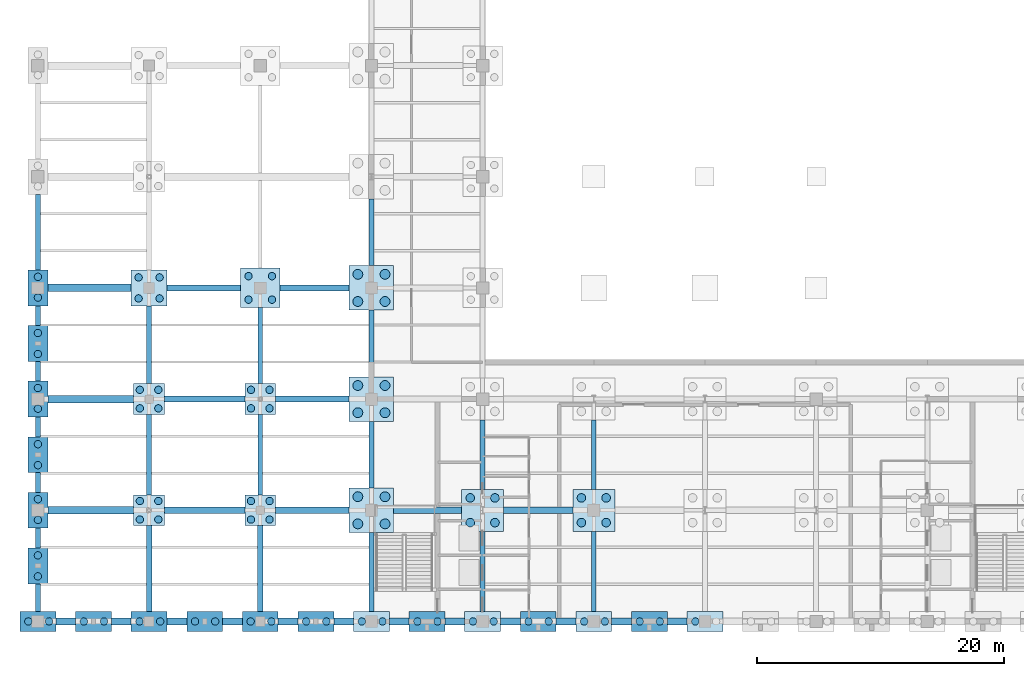
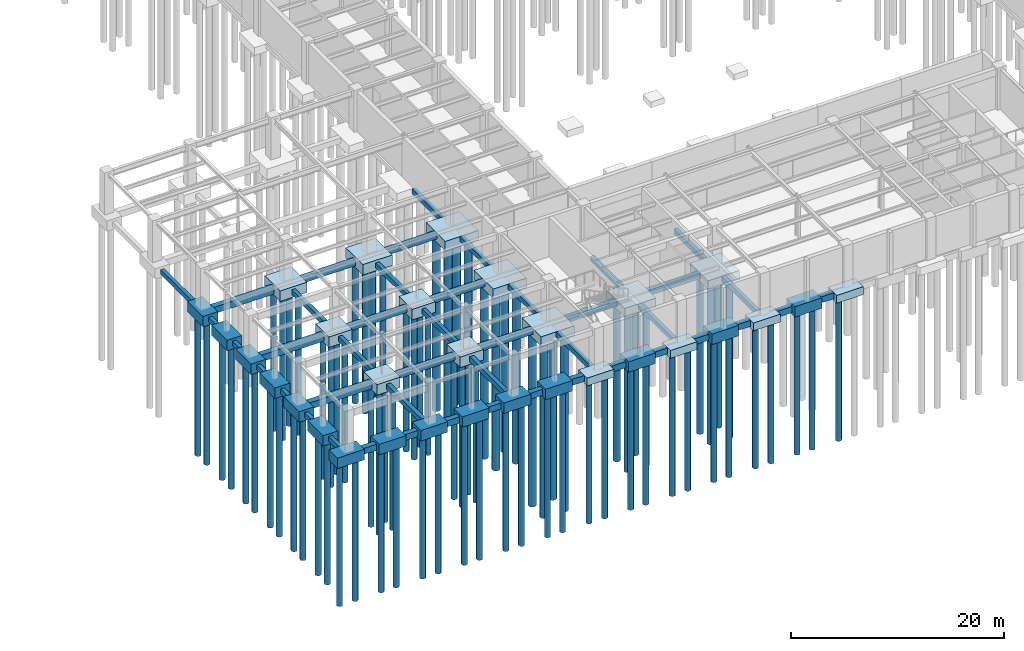
# One storey, part 1 of 49: 81 piles, 74 footings.
"""IFC4 building model written with IfcOpenShell, lengths in metres."""

import ifcopenshell
import ifcopenshell.guid

model = None  # the IFC model being written
_history = None  # IfcOwnerHistory: only IFC2X3 demands one
_inside = {}  # id of a spatial element -> (the spatial element, [elements in it])
_under = {}  # id of a project, library or spatial element -> (it, [spatial elements below it])
_declared = {}  # id of a project -> (the project, [libraries it declares])
_typed = {}  # id of a type object -> (the type object, [elements of that type])
_made_of = {}  # id of a material, layer set ... -> (it, [elements and type objects made of it])


def new_model(schema):
    """Start an empty IFC model of exactly this schema.

    Asked for "IFC4X3", IfcOpenShell would pick the latest addendum, in which some entities
    have other attributes; the version numbers below select the first issue.
    IFC2X3 requires an IfcOwnerHistory on every rooted entity: one is made here for all.
    """
    global model, _history
    if schema == "IFC4X3":
        model = ifcopenshell.file(schema_version=(4, 3, 0, 0))
    else:
        model = ifcopenshell.file(schema=schema)
    _inside.clear()
    _under.clear()
    _declared.clear()
    _typed.clear()
    _made_of.clear()
    _history = None
    if model.schema == "IFC2X3":
        org = make("IfcOrganization", Name="unknown")
        user = make(
            "IfcPersonAndOrganization",
            ThePerson=make("IfcPerson", FamilyName="unknown"),
            TheOrganization=org,
        )
        app = make(
            "IfcApplication",
            ApplicationDeveloper=org,
            Version="unknown",
            ApplicationFullName="unknown",
            ApplicationIdentifier="unknown",
        )
        _history = make(
            "IfcOwnerHistory",
            OwningUser=user,
            OwningApplication=app,
            ChangeAction="ADDED",
            CreationDate=0,
        )
    return model


def make(cls, **values):
    """One entity of the class cls with the attributes given. An attribute that is None is left unset."""
    return model.create_entity(
        cls, **{name: value for name, value in values.items() if value is not None}
    )


def rooted(cls, **values):
    """An entity with a GlobalId (a new one), such as an element, a storey or a relation."""
    return make(cls, GlobalId=ifcopenshell.guid.new(), OwnerHistory=_history, **values)


def si_unit(unit_type, name, prefix=None):
    """IfcSIUnit, for example si_unit("LENGTHUNIT", "METRE", prefix="MILLI")."""
    return make("IfcSIUnit", UnitType=unit_type, Prefix=prefix, Name=name)


def assignment(units):
    """IfcUnitAssignment: the units of a project."""
    return None if units is None else make("IfcUnitAssignment", Units=units)


def point(xyz):
    """IfcCartesianPoint."""
    return None if xyz is None else make("IfcCartesianPoint", Coordinates=xyz)


def direction(xyz):
    """IfcDirection."""
    return None if xyz is None else make("IfcDirection", DirectionRatios=xyz)


def frame(location, z_axis=None, x_axis=None):
    """IfcAxis2Placement3D, a coordinate frame: its origin and axes. An axis left out is left unset."""
    return make(
        "IfcAxis2Placement3D",
        Location=point(location),
        Axis=direction(z_axis),
        RefDirection=direction(x_axis),
    )


def frame_2d(location, x_axis=None):
    """IfcAxis2Placement2D, a coordinate frame in the plane: its origin and x axis."""
    return make(
        "IfcAxis2Placement2D", Location=point(location), RefDirection=direction(x_axis)
    )


def origin():
    """The frame at (0, 0, 0) with its axes left unset."""
    return frame((0.0, 0.0, 0.0))


def origin_2d():
    """The frame at (0, 0) in the plane with its x axis left unset."""
    return frame_2d((0.0, 0.0))


def place(relative_to, where):
    """IfcLocalPlacement: puts the frame where relative to a parent placement (None: the world)."""
    return make(
        "IfcLocalPlacement", PlacementRelTo=relative_to, RelativePlacement=where
    )


def context(
    kind, dimensions, precision=None, world=None, true_north=None, identifier=None
):
    """IfcGeometricRepresentationContext, for example the 3D "Model" context."""
    return make(
        "IfcGeometricRepresentationContext",
        ContextIdentifier=identifier,
        ContextType=kind,
        CoordinateSpaceDimension=dimensions,
        Precision=precision,
        WorldCoordinateSystem=world,
        TrueNorth=true_north,
    )


def subcontext(parent, identifier, kind, view, scale=None):
    """IfcGeometricRepresentationSubContext, for example "Body" below "Model"."""
    return make(
        "IfcGeometricRepresentationSubContext",
        ContextIdentifier=identifier,
        ContextType=kind,
        ParentContext=parent,
        TargetScale=scale,
        TargetView=view,
    )


def project(units=None, contexts=None):
    """IfcProject with its units and contexts."""
    return rooted(
        "IfcProject",
        Name="project",
        RepresentationContexts=contexts,
        UnitsInContext=assignment(units),
    )


def spatial(cls, under=None, at=None, **own):
    """A site, building, storey or space (cls), placed at a placement, below another one or the project."""
    s = rooted(cls, ObjectPlacement=at, **own)
    if under is not None:
        _under.setdefault(under.id(), (under, []))[1].append(s)
    return s


def profile(cls, at=None, kind="AREA", **sizes):
    """A parametric profile (cls). Its sizes go by their IFC names, for example OverallWidth=200.0."""
    return make(cls, ProfileType=kind, Position=at, **sizes)


def rectangle(**sizes):
    """IfcRectangleProfileDef."""
    return profile("IfcRectangleProfileDef", **sizes)


def circle(**sizes):
    """IfcCircleProfileDef."""
    return profile("IfcCircleProfileDef", **sizes)


def extrude(swept, where, along, depth):
    """IfcExtrudedAreaSolid: the profile swept, set in the frame where, extruded along a direction by depth."""
    return make(
        "IfcExtrudedAreaSolid",
        SweptArea=swept,
        Position=where,
        ExtrudedDirection=direction(along),
        Depth=depth,
    )


def shape(context_of_items, identifier, shape_type, items):
    """IfcShapeRepresentation: the items that make up one representation, for example the "Body"."""
    return make(
        "IfcShapeRepresentation",
        ContextOfItems=context_of_items,
        RepresentationIdentifier=identifier,
        RepresentationType=shape_type,
        Items=items,
    )


def material(Name=None, Category=None):
    """IfcMaterial."""
    return make("IfcMaterial", Name=Name, Category=Category)


def material_profile(
    of_material, cross_section, Name=None, Category=None, Priority=None
):
    """IfcMaterialProfile: a cross section and its material."""
    return make(
        "IfcMaterialProfile",
        Name=Name,
        Material=of_material,
        Profile=cross_section,
        Priority=Priority,
        Category=Category,
    )


def profile_set(profiles, Name=None, composite=None):
    """IfcMaterialProfileSet."""
    return make(
        "IfcMaterialProfileSet",
        Name=Name,
        MaterialProfiles=profiles,
        CompositeProfile=composite,
    )


def made_of(thing, what):
    """Note that an element or type object is made of a material, layer set ...; save() writes the relation."""
    if what is not None:
        _made_of.setdefault(what.id(), (what, []))[1].append(thing)
    return thing


def type_object(cls, material=None, **own):
    """A type object (cls), such as IfcWallType, which elements share."""
    return made_of(rooted(cls, **own), material)


def element(
    cls,
    number,
    at=None,
    inside=None,
    cuts=None,
    type_object=None,
    material=None,
    context=None,
    identifier="Body",
    shape_type=None,
    held_by="IfcProductDefinitionShape",
    body=None,
    shapes=None,
    **own,
):
    """One element of the class cls, such as IfcWall. Its Tag is "e" and its number.

    at: its placement. inside: the storey or other place that contains it. cuts: it is an
    opening in that element (IfcRelVoidsElement). A single representation is given by context,
    identifier, shape_type and body (its items); several are given by shapes. held_by: the class
    of the entity that holds the representations. save() writes the other relations.
    """
    e = rooted(cls, Tag="e%d" % number, ObjectPlacement=at, **own)
    if body is not None:
        shapes = [shape(context, identifier, shape_type, body)]
    if shapes is not None:
        e.Representation = make(held_by, Representations=shapes)
    if inside is not None:
        _inside.setdefault(inside.id(), (inside, []))[1].append(e)
    if cuts is not None:
        rooted(
            "IfcRelVoidsElement", RelatingBuildingElement=cuts, RelatedOpeningElement=e
        )
    if type_object is not None:
        _typed.setdefault(type_object.id(), (type_object, []))[1].append(e)
    return made_of(e, material)


def aggregate(whole, parts):
    """IfcRelAggregates: a whole, such as a stair, and the parts it consists of."""
    return rooted("IfcRelAggregates", RelatingObject=whole, RelatedObjects=parts)


def save(model, path):
    """Write the relations noted so far, then the file.

    IfcRelAggregates (storeys below a building ...), IfcRelContainedInSpatialStructure (elements
    in a storey), IfcRelDefinesByType, IfcRelAssociatesMaterial and IfcRelDeclares: one each for
    every whole, place, type object, material and project.
    """
    for whole, parts in _under.values():
        aggregate(whole, parts)
    for where, things in _inside.values():
        rooted(
            "IfcRelContainedInSpatialStructure",
            RelatedElements=things,
            RelatingStructure=where,
        )
    for kind, things in _typed.values():
        rooted("IfcRelDefinesByType", RelatedObjects=things, RelatingType=kind)
    for what, things in _made_of.values():
        rooted("IfcRelAssociatesMaterial", RelatedObjects=things, RelatingMaterial=what)
    for by, libraries in _declared.values():
        rooted("IfcRelDeclares", RelatingContext=by, RelatedDefinitions=libraries)
    model.write(path)


model = new_model("IFC4")

# Units and contexts
model_context = context("Model", 3, precision=1e-05, world=origin(), true_north=direction((0.0, 1.0)))
body_context = subcontext(model_context, "Body", "Model", "MODEL_VIEW")
ifc_project = project(units=[si_unit("LENGTHUNIT", "METRE"), si_unit("AREAUNIT", "SQUARE_METRE"), si_unit("VOLUMEUNIT", "CUBIC_METRE"), si_unit("PLANEANGLEUNIT", "RADIAN"), si_unit("MASSUNIT", "GRAM", prefix="KILO")], contexts=[model_context])

# Site, building, storey
site_placement = place(None, origin())
site = spatial("IfcSite", under=ifc_project, at=site_placement, CompositionType="ELEMENT")
building_placement = place(site_placement, origin())
building = spatial("IfcBuilding", under=site, at=building_placement, Name="Lykobir Media Centre", CompositionType="ELEMENT")
storey_placement = place(building_placement, frame((0.0, 0.0, -4.800048828125)))
storey = spatial("IfcBuildingStorey", under=building, at=storey_placement, Name="B1", CompositionType="ELEMENT", Elevation=-4.800048828125)

# Piles
ifc_material_1 = material(Name="Concrete C30/37", Category="concrete")
ifc_material_profile_1 = material_profile(ifc_material_1, circle(Radius=0.300048828125, at=origin_2d()), Name="BORED PILE D600")
ifc_profile_set_1 = profile_set([ifc_material_profile_1], Name="Concrete C30/37")
pile_type_1 = type_object("IfcPileType", Name="BP-600", PredefinedType="BORED", material=ifc_profile_set_1)
for number, where, z_axis, x_axis, name in (
    (1, (-0.780029296875, 0.0, -1.099853515625), (0.0, 0.0, -1.0), (1.0, 0.0, 0.0), "Bored pile PILE--008-0000-1"),
    (2, (0.89990234375, 0.0, -1.099853515625), (0.0, 0.0, -1.0), (1.0, 0.0, 0.0), "Bored pile PILE-0009-0000-2"),
    (3, (0.0, 8.219970703125, -1.099853515625), (0.0, 0.0, -1.0), (1.0, 0.0, 0.0), "Bored pile PILE-0000-0082-1"),
    (4, (0.0, 9.89990234375, -1.099853515625), (0.0, 0.0, -1.0), (1.0, 0.0, 0.0), "Bored pile PILE-0000-0099-2"),
    (5, (0.0, 17.219970703125, -1.099853515625), (0.0, 0.0, -1.0), (1.0, 0.0, 0.0), "Bored pile PILE-0000-0172-1"),
    (6, (0.0, 18.89990234375, -1.099853515625), (0.0, 0.0, -1.0), (1.0, 0.0, 0.0), "Bored pile PILE-0000-0189-2"),
    (7, (0.0, 26.219970703125, -1.099853515625), (0.0, 0.0, -1.0), (1.0, 0.0, 0.0), "Bored pile PILE-0000-0262-1"),
    (8, (0.0, 27.89990234375, -1.099853515625), (0.0, 0.0, -1.0), (1.0, 0.0, 0.0), "Bored pile PILE-0000-0279-2"),
    (9, (8.219970703125, 0.0, -1.099853515625), (0.0, 0.0, -1.0), (1.0, 0.0, 0.0), "Bored pile PILE-0082-0000-1"),
    (10, (9.89990234375, 0.0, -1.099853515625), (0.0, 0.0, -1.0), (1.0, 0.0, 0.0), "Bored pile PILE-0099-0000-2"),
    (11, (8.25, 8.25, -1.099853515625), (0.0, 0.0, -1.0), (1.0, 0.0, 0.0), "Bored pile PILE-0082-0082-1"),
    (12, (9.75, 8.25, -1.099853515625), (0.0, 0.0, -1.0), (1.0, 0.0, 0.0), "Bored pile PILE-0098-0082-2"),
    (13, (8.25, 9.75, -1.099853515625), (0.0, 0.0, -1.0), (1.0, 0.0, 0.0), "Bored pile PILE-0082-0098-3"),
    (14, (9.75, 9.75, -1.099853515625), (0.0, 0.0, -1.0), (1.0, 0.0, 0.0), "Bored pile PILE-0098-0098-4"),
    (15, (8.25, 17.25, -1.099853515625), (0.0, 0.0, -1.0), (1.0, 0.0, 0.0), "Bored pile PILE-0082-0172-1"),
    (16, (9.75, 17.25, -1.099853515625), (0.0, 0.0, -1.0), (1.0, 0.0, 0.0), "Bored pile PILE-0098-0172-2"),
    (17, (8.25, 18.75, -1.099853515625), (0.0, 0.0, -1.0), (1.0, 0.0, 0.0), "Bored pile PILE-0082-0188-3"),
    (18, (9.75, 18.75, -1.099853515625), (0.0, 0.0, -1.0), (1.0, 0.0, 0.0), "Bored pile PILE-0098-0188-4"),
    (19, (8.14990234375, 26.14990234375, -1.099853515625), (0.0, 0.0, -1.0), (1.0, 0.0, 0.0), "Bored pile PILE-0082-0262-1"),
    (20, (9.85009765625, 26.14990234375, -1.099853515625), (0.0, 0.0, -1.0), (1.0, 0.0, 0.0), "Bored pile PILE-0098-0262-2"),
    (21, (8.14990234375, 27.85009765625, -1.099853515625), (0.0, 0.0, -1.0), (1.0, 0.0, 0.0), "Bored pile PILE-0082-0278-3"),
    (22, (9.85009765625, 27.85009765625, -1.099853515625), (0.0, 0.0, -1.0), (1.0, 0.0, 0.0), "Bored pile PILE-0098-0278-4"),
    (23, (17.219970703125, 0.0, -1.099853515625), (0.0, 0.0, -1.0), (1.0, 0.0, 0.0), "Bored pile PILE-0172-0000-1"),
    (24, (18.89990234375, 0.0, -1.099853515625), (0.0, 0.0, -1.0), (1.0, 0.0, 0.0), "Bored pile PILE-0189-0000-2"),
    (25, (17.25, 8.25, -1.099853515625), (0.0, 0.0, -1.0), (1.0, 0.0, 0.0), "Bored pile PILE-0172-0082-1"),
    (26, (18.75, 8.25, -1.099853515625), (0.0, 0.0, -1.0), (1.0, 0.0, 0.0), "Bored pile PILE-0188-0082-2"),
    (27, (17.25, 9.75, -1.099853515625), (0.0, 0.0, -1.0), (1.0, 0.0, 0.0), "Bored pile PILE-0172-0098-3"),
    (28, (18.75, 9.75, -1.099853515625), (0.0, 0.0, -1.0), (1.0, 0.0, 0.0), "Bored pile PILE-0188-0098-4"),
    (29, (17.25, 17.25, -1.099853515625), (0.0, 0.0, -1.0), (1.0, 0.0, 0.0), "Bored pile PILE-0172-0172-1"),
    (30, (18.75, 17.25, -1.099853515625), (0.0, 0.0, -1.0), (1.0, 0.0, 0.0), "Bored pile PILE-0188-0172-2"),
    (31, (17.25, 18.75, -1.099853515625), (0.0, 0.0, -1.0), (1.0, 0.0, 0.0), "Bored pile PILE-0172-0188-3"),
    (32, (18.75, 18.75, -1.099853515625), (0.0, 0.0, -1.0), (1.0, 0.0, 0.0), "Bored pile PILE-0188-0188-4"),
    (33, (17.050048828125, 26.050048828125, -1.099853515625), (0.0, 0.0, -1.0), (1.0, 0.0, 0.0), "Bored pile PILE-0170-0260-1"),
    (34, (18.949951171875, 26.050048828125, -1.099853515625), (0.0, 0.0, -1.0), (1.0, 0.0, 0.0), "Bored pile PILE-0190-0260-2"),
    (35, (17.050048828125, 27.949951171875, -1.099853515625), (0.0, 0.0, -1.0), (1.0, 0.0, 0.0), "Bored pile PILE-0170-0280-3"),
    (36, (18.949951171875, 27.949951171875, -1.099853515625), (0.0, 0.0, -1.0), (1.0, 0.0, 0.0), "Bored pile PILE-0190-0280-4"),
    (37, (26.219970703125, 0.0, -1.099853515625), (0.0, 0.0, -1.0), (1.0, 0.0, 0.0), "Bored pile PILE-0262-0000-1"),
    (38, (27.89990234375, 0.0, -1.099853515625), (0.0, 0.0, -1.0), (1.0, 0.0, 0.0), "Bored pile PILE-0279-0000-2"),
    (39, (35.219970703125, 0.0, -1.099853515625), (0.0, 0.0, -1.0), (1.0, 0.0, 0.0), "Bored pile PILE-0352-0000-1"),
    (40, (36.89990234375, 0.0, -1.099853515625), (0.0, 0.0, -1.0), (1.0, 0.0, 0.0), "Bored pile PILE-0369-0000-2"),
    (41, (44.219970703125, 0.0, -1.099853515625), (0.0, 0.0, -1.0), (1.0, 0.0, 0.0), "Bored pile PILE-0442-0000-1"),
    (42, (45.89990234375, 0.0, -1.099853515625), (0.0, 0.0, -1.0), (1.0, 0.0, 0.0), "Bored pile PILE-0459-0000-2"),
    (43, (53.219970703125, 0.0, -1.099853515625), (0.0, 0.0, -1.0), (1.0, 0.0, 0.0), "Bored pile PILE-0532-0000-1"),
    (44, (30.719970703125, 0.0, -1.099853515625), (0.0, 0.0, -1.0), (1.0, 0.0, 0.0), "Colonnade bored pile PILE-RVK-0307-0000-1"),
    (45, (32.35009765625, 0.0, -1.099853515625), (0.0, 0.0, -1.0), (1.0, 0.0, 0.0), "Colonnade bored pile PILE-RVK-0324-0000-2"),
    (46, (39.719970703125, 0.0, -1.099853515625), (0.0, 0.0, -1.0), (1.0, 0.0, 0.0), "Colonnade bored pile PILE-RVK-0397-0000-1"),
    (47, (41.35009765625, 0.0, -1.099853515625), (0.0, 0.0, -1.0), (1.0, 0.0, 0.0), "Colonnade bored pile PILE-RVK-0414-0000-2"),
    (48, (48.719970703125, 0.0, -1.099853515625), (0.0, 0.0, -1.0), (1.0, 0.0, 0.0), "Colonnade bored pile PILE-RVK-0487-0000-1"),
    (49, (50.35009765625, 0.0, -1.099853515625), (0.0, 0.0, -1.0), (1.0, 0.0, 0.0), "Colonnade bored pile PILE-RVK-0504-0000-2"),
    (50, (3.719970703125, 0.0, -1.099853515625), (0.0, 0.0, -1.0), (1.0, 0.0, 0.0), "Colonnade bored pile PILE-RVK-0037-0000-1"),
    (51, (5.35009765625, 0.0, -1.099853515625), (0.0, 0.0, -1.0), (1.0, 0.0, 0.0), "Colonnade bored pile PILE-RVK-0054-0000-2"),
    (52, (12.719970703125, 0.0, -1.099853515625), (0.0, 0.0, -1.0), (1.0, 0.0, 0.0), "Colonnade bored pile PILE-RVK-0127-0000-1"),
    (53, (14.35009765625, 0.0, -1.099853515625), (0.0, 0.0, -1.0), (1.0, 0.0, 0.0), "Colonnade bored pile PILE-RVK-0144-0000-2"),
    (54, (21.719970703125, 0.0, -1.099853515625), (0.0, 0.0, -1.0), (1.0, 0.0, 0.0), "Colonnade bored pile PILE-RVK-0217-0000-1"),
    (55, (23.35009765625, 0.0, -1.099853515625), (0.0, 0.0, -1.0), (1.0, 0.0, 0.0), "Colonnade bored pile PILE-RVK-0234-0000-2"),
    (56, (0.0, 3.64990234375, -1.099853515625), (0.0, 0.0, -1.0), (1.0, 0.0, 0.0), "Colonnade bored pile PILE-RVK-0000-0036-1"),
    (57, (0.0, 5.35009765625, -1.099853515625), (0.0, 0.0, -1.0), (1.0, 0.0, 0.0), "Colonnade bored pile PILE-RVK-0000-0054-2"),
    (58, (0.0, 12.64990234375, -1.099853515625), (0.0, 0.0, -1.0), (1.0, 0.0, 0.0), "Colonnade bored pile PILE-RVK-0000-0126-1"),
    (59, (0.0, 14.35009765625, -1.099853515625), (0.0, 0.0, -1.0), (1.0, 0.0, 0.0), "Colonnade bored pile PILE-RVK-0000-0144-2"),
    (60, (0.0, 21.64990234375, -1.099853515625), (0.0, 0.0, -1.0), (1.0, 0.0, 0.0), "Colonnade bored pile PILE-RVK-0000-0216-1"),
    (61, (0.0, 23.35009765625, -1.099853515625), (0.0, 0.0, -1.0), (1.0, 0.0, 0.0), "Colonnade bored pile PILE-RVK-0000-0234-2"),
):
    element("IfcPile", number, at=place(storey_placement, frame(where, z_axis=z_axis, x_axis=x_axis)), inside=storey, type_object=pile_type_1, Name=name, PredefinedType="BORED", context=body_context, shape_type="SweptSolid", body=[
        extrude(circle(Radius=0.300048828125, at=origin_2d()), origin(), (0.0, 0.0, 1.0), 16.39990234375),
    ])
ifc_material_profile_2 = material_profile(ifc_material_1, circle(Radius=0.35009765625, at=origin_2d()), Name="BORED PILE D700")
ifc_profile_set_2 = profile_set([ifc_material_profile_2], Name="Concrete C30/37")
pile_type_2 = type_object("IfcPileType", Name="BP-700", PredefinedType="BORED", material=ifc_profile_set_2)
for number, where, z_axis, x_axis, name in (
    (62, (35.0, 8.0, -1.099853515625), (0.0, 0.0, -1.0), (1.0, 0.0, 0.0), "Bored pile PILE-0350-0080-1"),
    (63, (37.0, 8.0, -1.099853515625), (0.0, 0.0, -1.0), (1.0, 0.0, 0.0), "Bored pile PILE-0370-0080-2"),
    (64, (35.0, 10.0, -1.099853515625), (0.0, 0.0, -1.0), (1.0, 0.0, 0.0), "Bored pile PILE-0350-0100-3"),
    (65, (37.0, 10.0, -1.099853515625), (0.0, 0.0, -1.0), (1.0, 0.0, 0.0), "Bored pile PILE-0370-0100-4"),
    (66, (44.0, 8.0, -1.099853515625), (0.0, 0.0, -1.0), (1.0, 0.0, 0.0), "Bored pile PILE-0440-0080-1"),
    (67, (46.0, 8.0, -1.099853515625), (0.0, 0.0, -1.0), (1.0, 0.0, 0.0), "Bored pile PILE-0460-0080-2"),
    (68, (44.0, 10.0, -1.099853515625), (0.0, 0.0, -1.0), (1.0, 0.0, 0.0), "Bored pile PILE-0440-0100-3"),
    (69, (46.0, 10.0, -1.099853515625), (0.0, 0.0, -1.0), (1.0, 0.0, 0.0), "Bored pile PILE-0460-0100-4"),
):
    element("IfcPile", number, at=place(storey_placement, frame(where, z_axis=z_axis, x_axis=x_axis)), inside=storey, type_object=pile_type_2, Name=name, PredefinedType="BORED", context=body_context, shape_type="SweptSolid", body=[
        extrude(circle(Radius=0.35009765625, at=origin_2d()), origin(), (0.0, 0.0, 1.0), 18.39990234375),
    ])
ifc_material_profile_3 = material_profile(ifc_material_1, circle(Radius=0.39990234375, at=origin_2d()), Name="BORED PILE D800")
ifc_profile_set_3 = profile_set([ifc_material_profile_3], Name="Concrete C30/37")
pile_type_3 = type_object("IfcPileType", Name="BP-800", PredefinedType="BORED", material=ifc_profile_set_3)
for number, where, z_axis, x_axis, name in (
    (70, (25.89990234375, 7.89990234375, -1.099853515625), (0.0, 0.0, -1.0), (1.0, 0.0, 0.0), "Bored pile PILE-0259-0079-1"),
    (71, (28.10009765625, 7.89990234375, -1.099853515625), (0.0, 0.0, -1.0), (1.0, 0.0, 0.0), "Bored pile PILE-0281-0079-2"),
    (72, (25.89990234375, 10.10009765625, -1.099853515625), (0.0, 0.0, -1.0), (1.0, 0.0, 0.0), "Bored pile PILE-0259-0101-3"),
    (73, (28.10009765625, 10.10009765625, -1.099853515625), (0.0, 0.0, -1.0), (1.0, 0.0, 0.0), "Bored pile PILE-0281-0101-4"),
    (74, (25.89990234375, 16.89990234375, -1.099853515625), (0.0, 0.0, -1.0), (1.0, 0.0, 0.0), "Bored pile PILE-0259-0169-1"),
    (75, (28.10009765625, 16.89990234375, -1.099853515625), (0.0, 0.0, -1.0), (1.0, 0.0, 0.0), "Bored pile PILE-0281-0169-2"),
    (76, (25.89990234375, 19.10009765625, -1.099853515625), (0.0, 0.0, -1.0), (1.0, 0.0, 0.0), "Bored pile PILE-0259-0191-3"),
    (77, (28.10009765625, 19.10009765625, -1.099853515625), (0.0, 0.0, -1.0), (1.0, 0.0, 0.0), "Bored pile PILE-0281-0191-4"),
    (78, (25.89990234375, 25.89990234375, -1.099853515625), (0.0, 0.0, -1.0), (1.0, 0.0, 0.0), "Bored pile PILE-0259-0259-1"),
    (79, (28.10009765625, 25.89990234375, -1.099853515625), (0.0, 0.0, -1.0), (1.0, 0.0, 0.0), "Bored pile PILE-0281-0259-2"),
    (80, (25.89990234375, 28.10009765625, -1.099853515625), (0.0, 0.0, -1.0), (1.0, 0.0, 0.0), "Bored pile PILE-0259-0281-3"),
    (81, (28.10009765625, 28.10009765625, -1.099853515625), (0.0, 0.0, -1.0), (1.0, 0.0, 0.0), "Bored pile PILE-0281-0281-4"),
):
    element("IfcPile", number, at=place(storey_placement, frame(where, z_axis=z_axis, x_axis=x_axis)), inside=storey, type_object=pile_type_3, Name=name, PredefinedType="BORED", context=body_context, shape_type="SweptSolid", body=[
        extrude(circle(Radius=0.39990234375, at=origin_2d()), origin(), (0.0, 0.0, 1.0), 20.39990234375),
    ])

# Footings
ifc_material_2 = material(Name="Concrete C35/45", Category="concrete")
footing_type_1 = type_object("IfcFootingType", Name="GB-1", PredefinedType="FOOTING_BEAM", material=ifc_material_2)
for number, where, z_axis, x_axis, name in (
    (82, (4.27490234375, 9.0, -1.050048828125), (0.0, 0.0, 1.0), (1.0, 0.0, 0.0), "Ground tie beam FTG-GB-X-030"),
    (83, (4.27490234375, 18.0, -1.050048828125), (0.0, 0.0, 1.0), (1.0, 0.0, 0.0), "Ground tie beam FTG-GB-X-046"),
):
    element("IfcFooting", number, at=place(storey_placement, frame(where, z_axis=z_axis, x_axis=x_axis)), inside=storey, type_object=footing_type_1, Name=name, PredefinedType="FOOTING_BEAM", context=body_context, shape_type="SweptSolid", body=[
        extrude(rectangle(XDim=6.949951171875, YDim=0.60009765625, at=origin_2d()), origin(), (0.0, 0.0, 1.0), 0.75),
    ])
footing_1_placement = place(storey_placement, frame((4.175048828125, 27.0, -1.050048828125), z_axis=(0.0, 0.0, 1.0), x_axis=(1.0, 0.0, 0.0)))
element("IfcFooting", 84, at=footing_1_placement, inside=storey, type_object=footing_type_1, Name="Ground tie beam FTG-GB-X-063", PredefinedType="FOOTING_BEAM", context=body_context, shape_type="SweptSolid", body=[
    extrude(rectangle(XDim=6.75, YDim=0.60009765625, at=origin_2d()), origin(), (0.0, 0.0, 1.0), 0.75),
])
footing_type_2 = type_object("IfcFootingType", Name="GB-2", PredefinedType="FOOTING_BEAM", material=ifc_material_2)
for number, where, z_axis, x_axis, name in (
    (85, (2.25, 0.0, -1.0), (0.0, 0.0, 1.0), (1.0, 0.0, 0.0), "Ground tie beam FTG-GB-X-001"),
    (86, (6.75, 0.0, -1.0), (0.0, 0.0, 1.0), (1.0, 0.0, 0.0), "Ground tie beam FTG-GB-X-002"),
    (87, (11.25, 0.0, -1.0), (0.0, 0.0, 1.0), (1.0, 0.0, 0.0), "Ground tie beam FTG-GB-X-003"),
    (88, (15.75, 0.0, -1.0), (0.0, 0.0, 1.0), (1.0, 0.0, 0.0), "Ground tie beam FTG-GB-X-004"),
    (89, (20.25, 0.0, -1.0), (0.0, 0.0, 1.0), (1.0, 0.0, 0.0), "Ground tie beam FTG-GB-X-005"),
    (90, (24.75, 0.0, -1.0), (0.0, 0.0, 1.0), (1.0, 0.0, 0.0), "Ground tie beam FTG-GB-X-006"),
    (91, (29.25, 0.0, -1.0), (0.0, 0.0, 1.0), (1.0, 0.0, 0.0), "Ground tie beam FTG-GB-X-007"),
    (92, (33.75, 0.0, -1.0), (0.0, 0.0, 1.0), (1.0, 0.0, 0.0), "Ground tie beam FTG-GB-X-008"),
    (93, (38.25, 0.0, -1.0), (0.0, 0.0, 1.0), (1.0, 0.0, 0.0), "Ground tie beam FTG-GB-X-009"),
    (94, (42.75, 0.0, -1.0), (0.0, 0.0, 1.0), (1.0, 0.0, 0.0), "Ground tie beam FTG-GB-X-010"),
    (95, (47.25, 0.0, -1.0), (0.0, 0.0, 1.0), (1.0, 0.0, 0.0), "Ground tie beam FTG-GB-X-011"),
    (96, (51.75, 0.0, -1.0), (0.0, 0.0, 1.0), (1.0, 0.0, 0.0), "Ground tie beam FTG-GB-X-012"),
):
    element("IfcFooting", number, at=place(storey_placement, frame(where, z_axis=z_axis, x_axis=x_axis)), inside=storey, type_object=footing_type_2, Name=name, PredefinedType="FOOTING_BEAM", context=body_context, shape_type="SweptSolid", body=[
        extrude(rectangle(XDim=1.60009765625, YDim=0.550048828125, at=origin_2d()), origin(), (0.0, 0.0, 1.0), 0.699951171875),
    ])
footing_type_3 = type_object("IfcFootingType", Name="GB-3", PredefinedType="FOOTING_BEAM", material=ifc_material_2)
footing_2_placement = place(storey_placement, frame((13.5, 9.0, -0.949951171875), z_axis=(0.0, 0.0, 1.0), x_axis=(1.0, 0.0, 0.0)))
element("IfcFooting", 97, at=footing_2_placement, inside=storey, type_object=footing_type_3, Name="Ground tie beam FTG-GB-X-031", PredefinedType="FOOTING_BEAM", context=body_context, shape_type="SweptSolid", body=[
    extrude(rectangle(XDim=6.5, YDim=0.5, at=origin_2d()), origin(), (0.0, 0.0, 1.0), 0.64990234375),
])
footing_3_placement = place(storey_placement, frame((22.22509765625, 9.0, -0.949951171875), z_axis=(0.0, 0.0, 1.0), x_axis=(1.0, 0.0, 0.0)))
element("IfcFooting", 98, at=footing_3_placement, inside=storey, type_object=footing_type_3, Name="Ground tie beam FTG-GB-X-032", PredefinedType="FOOTING_BEAM", context=body_context, shape_type="SweptSolid", body=[
    extrude(rectangle(XDim=5.949951171875, YDim=0.5, at=origin_2d()), origin(), (0.0, 0.0, 1.0), 0.64990234375),
])
footing_4_placement = place(storey_placement, frame((31.550048828125, 9.0, -0.949951171875), z_axis=(0.0, 0.0, 1.0), x_axis=(1.0, 0.0, 0.0)))
element("IfcFooting", 99, at=footing_4_placement, inside=storey, type_object=footing_type_3, Name="Ground tie beam FTG-GB-X-033", PredefinedType="FOOTING_BEAM", context=body_context, shape_type="SweptSolid", body=[
    extrude(rectangle(XDim=5.5, YDim=0.5, at=origin_2d()), origin(), (0.0, 0.0, 1.0), 0.64990234375),
])
footing_5_placement = place(storey_placement, frame((40.5, 9.0, -0.949951171875), z_axis=(0.0, 0.0, 1.0), x_axis=(1.0, 0.0, 0.0)))
element("IfcFooting", 100, at=footing_5_placement, inside=storey, type_object=footing_type_3, Name="Ground tie beam FTG-GB-X-034", PredefinedType="FOOTING_BEAM", context=body_context, shape_type="SweptSolid", body=[
    extrude(rectangle(XDim=5.60009765625, YDim=0.5, at=origin_2d()), origin(), (0.0, 0.0, 1.0), 0.64990234375),
])
footing_6_placement = place(storey_placement, frame((13.5, 18.0, -0.949951171875), z_axis=(0.0, 0.0, 1.0), x_axis=(1.0, 0.0, 0.0)))
element("IfcFooting", 101, at=footing_6_placement, inside=storey, type_object=footing_type_3, Name="Ground tie beam FTG-GB-X-047", PredefinedType="FOOTING_BEAM", context=body_context, shape_type="SweptSolid", body=[
    extrude(rectangle(XDim=6.5, YDim=0.5, at=origin_2d()), origin(), (0.0, 0.0, 1.0), 0.64990234375),
])
for number, where, z_axis, x_axis, name in (
    (102, (22.22509765625, 18.0, -0.949951171875), (0.0, 0.0, 1.0), (1.0, 0.0, 0.0), "Ground tie beam FTG-GB-X-048"),
    (103, (13.425048828125, 27.0, -0.949951171875), (0.0, 0.0, 1.0), (1.0, 0.0, 0.0), "Ground tie beam FTG-GB-X-064"),
):
    element("IfcFooting", number, at=place(storey_placement, frame(where, z_axis=z_axis, x_axis=x_axis)), inside=storey, type_object=footing_type_3, Name=name, PredefinedType="FOOTING_BEAM", context=body_context, shape_type="SweptSolid", body=[
        extrude(rectangle(XDim=5.949951171875, YDim=0.5, at=origin_2d()), origin(), (0.0, 0.0, 1.0), 0.64990234375),
    ])
footing_7_placement = place(storey_placement, frame((22.39990234375, 27.0, -0.949951171875), z_axis=(0.0, 0.0, 1.0), x_axis=(1.0, 0.0, 0.0)))
element("IfcFooting", 104, at=footing_7_placement, inside=storey, type_object=footing_type_3, Name="Ground tie beam FTG-GB-X-065", PredefinedType="FOOTING_BEAM", context=body_context, shape_type="SweptSolid", body=[
    extrude(rectangle(XDim=5.60009765625, YDim=0.5, at=origin_2d()), origin(), (0.0, 0.0, 1.0), 0.64990234375),
])
footing_type_4 = type_object("IfcFootingType", Name="GB-4", PredefinedType="FOOTING_BEAM", material=ifc_material_2)
for number, where, z_axis, x_axis, name in (
    (105, (9.0, 4.27490234375, -0.89990234375), (0.0, 0.0, 1.0), (0.0, 1.0, 0.0), "Ground tie beam FTG-GB-Y-197"),
    (106, (18.0, 4.27490234375, -0.89990234375), (0.0, 0.0, 1.0), (0.0, 1.0, 0.0), "Ground tie beam FTG-GB-Y-202"),
):
    element("IfcFooting", number, at=place(storey_placement, frame(where, z_axis=z_axis, x_axis=x_axis)), inside=storey, type_object=footing_type_4, Name=name, PredefinedType="FOOTING_BEAM", context=body_context, shape_type="SweptSolid", body=[
        extrude(rectangle(XDim=6.949951171875, YDim=0.449951171875, at=origin_2d()), origin(), (0.0, 0.0, 1.0), 0.60009765625),
    ])
footing_type_5 = type_object("IfcFootingType", Name="GB-5", PredefinedType="FOOTING_BEAM", material=ifc_material_2)
footing_8_placement = place(storey_placement, frame((0.0, 1.925048828125, -0.85009765625), z_axis=(0.0, 0.0, 1.0), x_axis=(0.0, 1.0, 0.0)))
element("IfcFooting", 107, at=footing_8_placement, inside=storey, type_object=footing_type_5, Name="Ground tie beam FTG-GB-Y-189", PredefinedType="FOOTING_BEAM", context=body_context, shape_type="SweptSolid", body=[
    extrude(rectangle(XDim=2.25, YDim=0.39990234375, at=origin_2d()), origin(), (0.0, 0.0, 1.0), 0.550048828125),
])
for number, where, z_axis, x_axis, name in (
    (108, (0.0, 6.75, -0.85009765625), (0.0, 0.0, 1.0), (0.0, 1.0, 0.0), "Ground tie beam FTG-GB-Y-190"),
    (109, (0.0, 11.25, -0.85009765625), (0.0, 0.0, 1.0), (0.0, 1.0, 0.0), "Ground tie beam FTG-GB-Y-191"),
    (110, (0.0, 15.75, -0.85009765625), (0.0, 0.0, 1.0), (0.0, 1.0, 0.0), "Ground tie beam FTG-GB-Y-192"),
    (111, (0.0, 20.25, -0.85009765625), (0.0, 0.0, 1.0), (0.0, 1.0, 0.0), "Ground tie beam FTG-GB-Y-193"),
    (112, (0.0, 24.75, -0.85009765625), (0.0, 0.0, 1.0), (0.0, 1.0, 0.0), "Ground tie beam FTG-GB-Y-194"),
):
    element("IfcFooting", number, at=place(storey_placement, frame(where, z_axis=z_axis, x_axis=x_axis)), inside=storey, type_object=footing_type_5, Name=name, PredefinedType="FOOTING_BEAM", context=body_context, shape_type="SweptSolid", body=[
        extrude(rectangle(XDim=1.60009765625, YDim=0.39990234375, at=origin_2d()), origin(), (0.0, 0.0, 1.0), 0.550048828125),
    ])
footing_9_placement = place(storey_placement, frame((0.0, 31.5, -0.85009765625), z_axis=(0.0, 0.0, 1.0), x_axis=(0.0, 1.0, 0.0)))
element("IfcFooting", 113, at=footing_9_placement, inside=storey, type_object=footing_type_5, Name="Ground tie beam FTG-GB-Y-195", PredefinedType="FOOTING_BEAM", context=body_context, shape_type="SweptSolid", body=[
    extrude(rectangle(XDim=6.10009765625, YDim=0.39990234375, at=origin_2d()), origin(), (0.0, 0.0, 1.0), 0.550048828125),
])
footing_10_placement = place(storey_placement, frame((9.0, 13.5, -0.85009765625), z_axis=(0.0, 0.0, 1.0), x_axis=(0.0, 1.0, 0.0)))
element("IfcFooting", 114, at=footing_10_placement, inside=storey, type_object=footing_type_5, Name="Ground tie beam FTG-GB-Y-198", PredefinedType="FOOTING_BEAM", context=body_context, shape_type="SweptSolid", body=[
    extrude(rectangle(XDim=6.5, YDim=0.39990234375, at=origin_2d()), origin(), (0.0, 0.0, 1.0), 0.550048828125),
])
footing_11_placement = place(storey_placement, frame((9.0, 22.39990234375, -0.85009765625), z_axis=(0.0, 0.0, 1.0), x_axis=(0.0, 1.0, 0.0)))
element("IfcFooting", 115, at=footing_11_placement, inside=storey, type_object=footing_type_5, Name="Ground tie beam FTG-GB-Y-199", PredefinedType="FOOTING_BEAM", context=body_context, shape_type="SweptSolid", body=[
    extrude(rectangle(XDim=6.300048828125, YDim=0.39990234375, at=origin_2d()), origin(), (0.0, 0.0, 1.0), 0.550048828125),
])
footing_12_placement = place(storey_placement, frame((18.0, 13.5, -0.85009765625), z_axis=(0.0, 0.0, 1.0), x_axis=(0.0, 1.0, 0.0)))
element("IfcFooting", 116, at=footing_12_placement, inside=storey, type_object=footing_type_5, Name="Ground tie beam FTG-GB-Y-203", PredefinedType="FOOTING_BEAM", context=body_context, shape_type="SweptSolid", body=[
    extrude(rectangle(XDim=6.5, YDim=0.39990234375, at=origin_2d()), origin(), (0.0, 0.0, 1.0), 0.550048828125),
])
footing_13_placement = place(storey_placement, frame((18.0, 22.324951171875, -0.85009765625), z_axis=(0.0, 0.0, 1.0), x_axis=(0.0, 1.0, 0.0)))
element("IfcFooting", 117, at=footing_13_placement, inside=storey, type_object=footing_type_5, Name="Ground tie beam FTG-GB-Y-204", PredefinedType="FOOTING_BEAM", context=body_context, shape_type="SweptSolid", body=[
    extrude(rectangle(XDim=6.14990234375, YDim=0.39990234375, at=origin_2d()), origin(), (0.0, 0.0, 1.0), 0.550048828125),
])
footing_14_placement = place(storey_placement, frame((27.0, 4.0, -0.85009765625), z_axis=(0.0, 0.0, 1.0), x_axis=(0.0, 1.0, 0.0)))
element("IfcFooting", 118, at=footing_14_placement, inside=storey, type_object=footing_type_5, Name="Ground tie beam FTG-GB-Y-205", PredefinedType="FOOTING_BEAM", context=body_context, shape_type="SweptSolid", body=[
    extrude(rectangle(XDim=6.39990234375, YDim=0.39990234375, at=origin_2d()), origin(), (0.0, 0.0, 1.0), 0.550048828125),
])
for number, where, z_axis, x_axis, name in (
    (119, (27.0, 13.5, -0.85009765625), (0.0, 0.0, 1.0), (0.0, 1.0, 0.0), "Ground tie beam FTG-GB-Y-206"),
    (120, (27.0, 22.5, -0.85009765625), (0.0, 0.0, 1.0), (0.0, 1.0, 0.0), "Ground tie beam FTG-GB-Y-207"),
    (121, (27.0, 31.5, -0.85009765625), (0.0, 0.0, 1.0), (0.0, 1.0, 0.0), "Ground tie beam FTG-GB-Y-208"),
):
    element("IfcFooting", number, at=place(storey_placement, frame(where, z_axis=z_axis, x_axis=x_axis)), inside=storey, type_object=footing_type_5, Name=name, PredefinedType="FOOTING_BEAM", context=body_context, shape_type="SweptSolid", body=[
        extrude(rectangle(XDim=5.39990234375, YDim=0.39990234375, at=origin_2d()), origin(), (0.0, 0.0, 1.0), 0.550048828125),
    ])
footing_15_placement = place(storey_placement, frame((36.0, 4.050048828125, -0.85009765625), z_axis=(0.0, 0.0, 1.0), x_axis=(0.0, 1.0, 0.0)))
element("IfcFooting", 122, at=footing_15_placement, inside=storey, type_object=footing_type_5, Name="Ground tie beam FTG-GB-Y-217", PredefinedType="FOOTING_BEAM", context=body_context, shape_type="SweptSolid", body=[
    extrude(rectangle(XDim=6.5, YDim=0.39990234375, at=origin_2d()), origin(), (0.0, 0.0, 1.0), 0.550048828125),
])
footing_16_placement = place(storey_placement, frame((36.0, 13.5, -0.85009765625), z_axis=(0.0, 0.0, 1.0), x_axis=(0.0, 1.0, 0.0)))
element("IfcFooting", 123, at=footing_16_placement, inside=storey, type_object=footing_type_5, Name="Ground tie beam FTG-GB-Y-218", PredefinedType="FOOTING_BEAM", context=body_context, shape_type="SweptSolid", body=[
    extrude(rectangle(XDim=5.60009765625, YDim=0.39990234375, at=origin_2d()), origin(), (0.0, 0.0, 1.0), 0.550048828125),
])
footing_17_placement = place(storey_placement, frame((45.0, 4.050048828125, -0.85009765625), z_axis=(0.0, 0.0, 1.0), x_axis=(0.0, 1.0, 0.0)))
element("IfcFooting", 124, at=footing_17_placement, inside=storey, type_object=footing_type_5, Name="Ground tie beam FTG-GB-Y-230", PredefinedType="FOOTING_BEAM", context=body_context, shape_type="SweptSolid", body=[
    extrude(rectangle(XDim=6.5, YDim=0.39990234375, at=origin_2d()), origin(), (0.0, 0.0, 1.0), 0.550048828125),
])
footing_18_placement = place(storey_placement, frame((45.0, 13.5, -0.85009765625), z_axis=(0.0, 0.0, 1.0), x_axis=(0.0, 1.0, 0.0)))
element("IfcFooting", 125, at=footing_18_placement, inside=storey, type_object=footing_type_5, Name="Ground tie beam FTG-GB-Y-231", PredefinedType="FOOTING_BEAM", context=body_context, shape_type="SweptSolid", body=[
    extrude(rectangle(XDim=5.60009765625, YDim=0.39990234375, at=origin_2d()), origin(), (0.0, 0.0, 1.0), 0.550048828125),
])
footing_type_6 = type_object("IfcFootingType", Name="PC-1", PredefinedType="PILE_CAP", material=ifc_material_2)
for number, where, z_axis, x_axis, name in (
    (126, (27.0, 9.0, -1.39990234375), (0.0, 0.0, 1.0), (1.0, 0.0, 0.0), "Pile cap FTG-PC-0270-0090"),
    (127, (27.0, 18.0, -1.39990234375), (0.0, 0.0, 1.0), (1.0, 0.0, 0.0), "Pile cap FTG-PC-0270-0180"),
    (128, (27.0, 27.0, -1.39990234375), (0.0, 0.0, 1.0), (1.0, 0.0, 0.0), "Pile cap FTG-PC-0270-0270"),
):
    element("IfcFooting", number, at=place(storey_placement, frame(where, z_axis=z_axis, x_axis=x_axis)), inside=storey, type_object=footing_type_6, Name=name, PredefinedType="PILE_CAP", context=body_context, shape_type="SweptSolid", body=[
        extrude(rectangle(XDim=3.60009765625, YDim=3.60009765625, at=origin_2d()), origin(), (0.0, 0.0, 1.0), 1.10009765625),
    ])
footing_type_7 = type_object("IfcFootingType", Name="PC-2", PredefinedType="PILE_CAP", material=ifc_material_2)
for number, where, z_axis, x_axis, name in (
    (129, (36.0, 9.0, -1.300048828125), (0.0, 0.0, 1.0), (1.0, 0.0, 0.0), "Pile cap FTG-PC-0360-0090"),
    (130, (45.0, 9.0, -1.300048828125), (0.0, 0.0, 1.0), (1.0, 0.0, 0.0), "Pile cap FTG-PC-0450-0090"),
):
    element("IfcFooting", number, at=place(storey_placement, frame(where, z_axis=z_axis, x_axis=x_axis)), inside=storey, type_object=footing_type_7, Name=name, PredefinedType="PILE_CAP", context=body_context, shape_type="SweptSolid", body=[
        extrude(rectangle(XDim=3.39990234375, YDim=3.39990234375, at=origin_2d()), origin(), (0.0, 0.0, 1.0), 1.0),
    ])
footing_type_8 = type_object("IfcFootingType", Name="PC-3", PredefinedType="PILE_CAP", material=ifc_material_2)
footing_19_placement = place(storey_placement, frame((18.0, 27.0, -1.19970703125), z_axis=(0.0, 0.0, 1.0), x_axis=(1.0, 0.0, 0.0)))
element("IfcFooting", 131, at=footing_19_placement, inside=storey, type_object=footing_type_8, Name="Pile cap FTG-PC-0180-0270", PredefinedType="PILE_CAP", context=body_context, shape_type="SweptSolid", body=[
    extrude(rectangle(XDim=3.199951171875, YDim=3.199951171875, at=origin_2d()), origin(), (0.0, 0.0, 1.0), 1.199951171875),
])
footing_type_9 = type_object("IfcFootingType", Name="PC-4", PredefinedType="PILE_CAP", material=ifc_material_2)
footing_20_placement = place(storey_placement, frame((9.0, 27.0, -1.19970703125), z_axis=(0.0, 0.0, 1.0), x_axis=(1.0, 0.0, 0.0)))
element("IfcFooting", 132, at=footing_20_placement, inside=storey, type_object=footing_type_9, Name="Pile cap FTG-PC-0090-0270", PredefinedType="PILE_CAP", context=body_context, shape_type="SweptSolid", body=[
    extrude(rectangle(XDim=2.89990234375, YDim=2.89990234375, at=origin_2d()), origin(), (0.0, 0.0, 1.0), 1.199951171875),
])
footing_type_10 = type_object("IfcFootingType", Name="PC-6", PredefinedType="PILE_CAP", material=ifc_material_2)
for number, where, z_axis, x_axis, name in (
    (133, (9.0, 9.0, -1.19970703125), (0.0, 0.0, 1.0), (1.0, 0.0, 0.0), "Pile cap FTG-PC-0090-0090"),
    (134, (9.0, 18.0, -1.19970703125), (0.0, 0.0, 1.0), (1.0, 0.0, 0.0), "Pile cap FTG-PC-0090-0180"),
    (135, (18.0, 9.0, -1.19970703125), (0.0, 0.0, 1.0), (1.0, 0.0, 0.0), "Pile cap FTG-PC-0180-0090"),
    (136, (18.0, 18.0, -1.19970703125), (0.0, 0.0, 1.0), (1.0, 0.0, 0.0), "Pile cap FTG-PC-0180-0180"),
):
    element("IfcFooting", number, at=place(storey_placement, frame(where, z_axis=z_axis, x_axis=x_axis)), inside=storey, type_object=footing_type_10, Name=name, PredefinedType="PILE_CAP", context=body_context, shape_type="SweptSolid", body=[
        extrude(rectangle(XDim=2.5, YDim=2.5, at=origin_2d()), origin(), (0.0, 0.0, 1.0), 1.199951171875),
    ])
footing_type_11 = type_object("IfcFootingType", Name="PC-7", PredefinedType="PILE_CAP", material=ifc_material_2)
for number, where, z_axis, x_axis, name in (
    (137, (0.0, 0.0, -1.19970703125), (0.0, 0.0, 1.0), (1.0, 0.0, 0.0), "Pile cap FTG-PC-0000-0000"),
    (138, (9.0, 0.0, -1.19970703125), (0.0, 0.0, 1.0), (1.0, 0.0, 0.0), "Pile cap FTG-PC-0090-0000"),
    (139, (18.0, 0.0, -1.19970703125), (0.0, 0.0, 1.0), (1.0, 0.0, 0.0), "Pile cap FTG-PC-0180-0000"),
):
    element("IfcFooting", number, at=place(storey_placement, frame(where, z_axis=z_axis, x_axis=x_axis)), inside=storey, type_object=footing_type_11, Name=name, PredefinedType="PILE_CAP", context=body_context, shape_type="SweptSolid", body=[
        extrude(rectangle(XDim=2.89990234375, YDim=1.60009765625, at=origin_2d()), origin(), (0.0, 0.0, 1.0), 1.199951171875),
    ])
for number, where, z_axis, x_axis, name in (
    (140, (27.0, 0.0, -1.199951171875), (0.0, 0.0, 1.0), (1.0, 0.0, 0.0), "Pile cap FTG-PC-0270-0000"),
    (141, (36.0, 0.0, -1.199951171875), (0.0, 0.0, 1.0), (1.0, 0.0, 0.0), "Pile cap FTG-PC-0360-0000"),
    (142, (45.0, 0.0, -1.199951171875), (0.0, 0.0, 1.0), (1.0, 0.0, 0.0), "Pile cap FTG-PC-0450-0000"),
    (143, (54.0, 0.0, -1.199951171875), (0.0, 0.0, 1.0), (1.0, 0.0, 0.0), "Pile cap FTG-PC-0540-0000"),
):
    element("IfcFooting", number, at=place(storey_placement, frame(where, z_axis=z_axis, x_axis=x_axis)), inside=storey, type_object=footing_type_11, Name=name, PredefinedType="PILE_CAP", context=body_context, shape_type="SweptSolid", body=[
        extrude(rectangle(XDim=2.89990234375, YDim=1.60009765625, at=origin_2d()), origin(), (0.0, 0.0, 1.0), 0.89990234375),
    ])
for number, where, z_axis, x_axis, name in (
    (144, (31.5, 0.0, -1.19970703125), (0.0, 0.0, 1.0), (1.0, 0.0, 0.0), "Colonnade pile cap FTG-RVK-0315-0000"),
    (145, (40.5, 0.0, -1.19970703125), (0.0, 0.0, 1.0), (1.0, 0.0, 0.0), "Colonnade pile cap FTG-RVK-0405-0000"),
    (146, (49.5, 0.0, -1.19970703125), (0.0, 0.0, 1.0), (1.0, 0.0, 0.0), "Colonnade pile cap FTG-RVK-0495-0000"),
    (147, (4.5, 0.0, -1.19970703125), (0.0, 0.0, 1.0), (1.0, 0.0, 0.0), "Colonnade pile cap FTG-RVK-0045-0000"),
    (148, (13.5, 0.0, -1.19970703125), (0.0, 0.0, 1.0), (1.0, 0.0, 0.0), "Colonnade pile cap FTG-RVK-0135-0000"),
    (149, (22.5, 0.0, -1.19970703125), (0.0, 0.0, 1.0), (1.0, 0.0, 0.0), "Colonnade pile cap FTG-RVK-0225-0000"),
):
    element("IfcFooting", number, at=place(storey_placement, frame(where, z_axis=z_axis, x_axis=x_axis)), inside=storey, type_object=footing_type_11, Name=name, PredefinedType="PILE_CAP", context=body_context, shape_type="SweptSolid", body=[
        extrude(rectangle(XDim=2.89990234375, YDim=1.60009765625, at=origin_2d()), origin(), (0.0, 0.0, 1.0), 1.199951171875),
    ])
footing_type_12 = type_object("IfcFootingType", Name="PC-8", PredefinedType="PILE_CAP", material=ifc_material_2)
for number, where, z_axis, x_axis, name in (
    (150, (0.0, 9.0, -1.19970703125), (0.0, 0.0, 1.0), (1.0, 0.0, 0.0), "Pile cap FTG-PC-0000-0090"),
    (151, (0.0, 18.0, -1.19970703125), (0.0, 0.0, 1.0), (1.0, 0.0, 0.0), "Pile cap FTG-PC-0000-0180"),
    (152, (0.0, 27.0, -1.19970703125), (0.0, 0.0, 1.0), (1.0, 0.0, 0.0), "Pile cap FTG-PC-0000-0270"),
    (153, (0.0, 4.5, -1.19970703125), (0.0, 0.0, 1.0), (1.0, 0.0, 0.0), "Colonnade pile cap FTG-RVK-0000-0045"),
    (154, (0.0, 13.5, -1.19970703125), (0.0, 0.0, 1.0), (1.0, 0.0, 0.0), "Colonnade pile cap FTG-RVK-0000-0135"),
    (155, (0.0, 22.5, -1.19970703125), (0.0, 0.0, 1.0), (1.0, 0.0, 0.0), "Colonnade pile cap FTG-RVK-0000-0225"),
):
    element("IfcFooting", number, at=place(storey_placement, frame(where, z_axis=z_axis, x_axis=x_axis)), inside=storey, type_object=footing_type_12, Name=name, PredefinedType="PILE_CAP", context=body_context, shape_type="SweptSolid", body=[
        extrude(rectangle(XDim=1.60009765625, YDim=2.89990234375, at=origin_2d()), origin(), (0.0, 0.0, 1.0), 1.199951171875),
    ])

save(model, "model.ifc")
